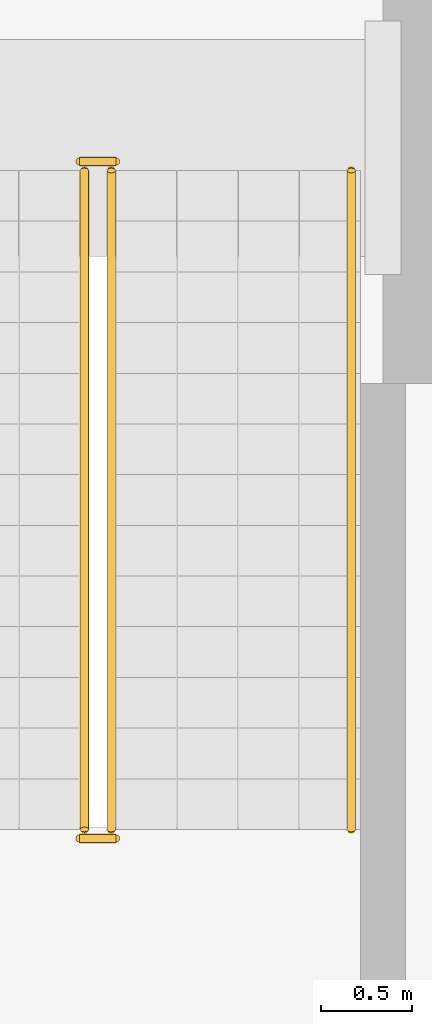
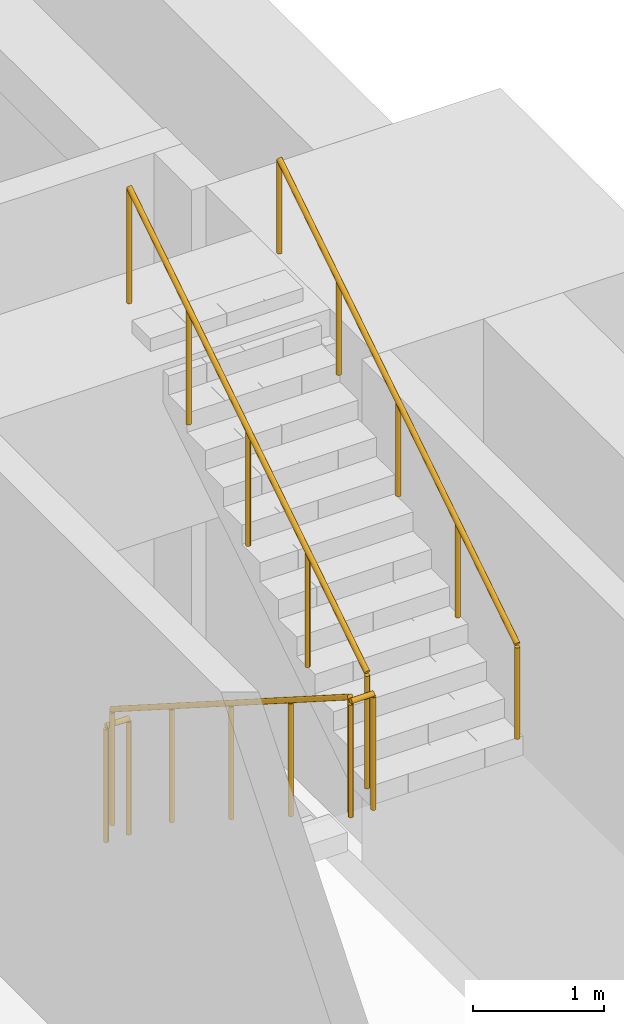
# One storey, part 16 of 17: 5 railings.
"""IFC4 building model written with IfcOpenShell, lengths in metres."""

from ifc_helpers import new_model, si_unit, direction, frame, origin, origin_2d, place, context, subcontext, project, spatial, circle, extrude, material, type_object, element, save


model = new_model("IFC4")

# Units and contexts
model_context = context("Model", 3, precision=1e-05, world=origin(), true_north=direction((0.0, 1.0)))
body_context = subcontext(model_context, "Body", "Model", "MODEL_VIEW")
ifc_project = project(units=[si_unit("LENGTHUNIT", "METRE"), si_unit("AREAUNIT", "SQUARE_METRE"), si_unit("VOLUMEUNIT", "CUBIC_METRE"), si_unit("PLANEANGLEUNIT", "RADIAN"), si_unit("MASSUNIT", "GRAM", prefix="KILO")], contexts=[model_context])

# Site, building, storey
site_placement = place(None, origin())
site = spatial("IfcSite", under=ifc_project, at=site_placement, CompositionType="ELEMENT")
building_placement = place(site_placement, origin())
building = spatial("IfcBuilding", under=site, at=building_placement, Name="Cantera Rosa Tower", CompositionType="ELEMENT")
storey_placement = place(building_placement, frame((0.0, 0.0, 22.0)))
storey = spatial("IfcBuildingStorey", under=building, at=storey_placement, Name="L03", CompositionType="ELEMENT", Elevation=22.0)

# Railings
ifc_material_1 = material(Name="Steel S355J2 (EN 10025-2)", Category="steel")
railing_type_1 = type_object("IfcRailingType", Name="STAIR GUARD 1100", PredefinedType="GUARDRAIL", material=ifc_material_1)
railing_1_placement = place(storey_placement, frame((30.65087890625, -21.125, 0.178466796875)))
element("IfcRailing", 1, at=railing_1_placement, inside=storey, type_object=railing_type_1, Name="L03 ST-SE stair guard 1", PredefinedType="GUARDRAIL", context=body_context, shape_type="SweptSolid", body=[
    extrude(circle(Radius=0.02392578125, at=origin_2d()), frame((0.0, 0.0, 1.076171875), z_axis=(0.0, -0.843111507901, 0.53773877045), x_axis=(1.0, 0.0, 0.0)), (0.0, 0.0, 1.0), 4.317138671875),
    extrude(circle(Radius=0.02099609375, at=origin_2d()), origin(), (0.0, 0.0, 1.0), 1.052001953125),
    extrude(circle(Radius=0.02099609375, at=origin_2d()), frame((0.0, -0.909912109375, 0.580322265625)), (0.0, 0.0, 1.0), 1.052001953125),
    extrude(circle(Radius=0.02099609375, at=origin_2d()), frame((0.0, -1.81982421875, 1.16064453125)), (0.0, 0.0, 1.0), 1.052001953125),
    extrude(circle(Radius=0.02099609375, at=origin_2d()), frame((0.0, -2.72998046875, 1.7412109375)), (0.0, 0.0, 1.0), 1.052001953125),
    extrude(circle(Radius=0.02099609375, at=origin_2d()), frame((0.0, -3.639892578125, 2.321533203125)), (0.0, 0.0, 1.0), 1.052001953125),
])
railing_2_placement = place(storey_placement, frame((30.625, -24.81494140625, 2.5)))
element("IfcRailing", 2, at=railing_2_placement, inside=storey, type_object=railing_type_1, Name="L03 ST-SE stair guard 2", PredefinedType="GUARDRAIL", context=body_context, shape_type="SweptSolid", body=[
    extrude(circle(Radius=0.02392578125, at=origin_2d()), frame((0.0, 0.0, 1.076171875), z_axis=(1.0, 0.0, 0.0), x_axis=(0.0, 1.0, 0.0)), (0.0, 0.0, 1.0), 0.199951171875),
    extrude(circle(Radius=0.02099609375, at=origin_2d()), origin(), (0.0, 0.0, 1.0), 1.052001953125),
    extrude(circle(Radius=0.02099609375, at=origin_2d()), frame((0.199951171875, 0.0, 0.0)), (0.0, 0.0, 1.0), 1.052001953125),
])
railing_3_placement = place(storey_placement, frame((30.799072265625, -24.764892578125, 2.678466796875)))
element("IfcRailing", 3, at=railing_3_placement, inside=storey, type_object=railing_type_1, Name="L03 ST-SE stair guard 3", PredefinedType="GUARDRAIL", context=body_context, shape_type="SweptSolid", body=[
    extrude(circle(Radius=0.02392578125, at=origin_2d()), frame((0.0, 0.0, 1.076171875), z_axis=(0.0, 0.843111507901, 0.53773877045), x_axis=(-1.0, 0.0, 0.0)), (0.0, 0.0, 1.0), 4.317138671875),
    extrude(circle(Radius=0.02099609375, at=origin_2d()), origin(), (0.0, 0.0, 1.0), 1.052001953125),
    extrude(circle(Radius=0.02099609375, at=origin_2d()), frame((0.0, 0.909912109375, 0.580322265625)), (0.0, 0.0, 1.0), 1.052001953125),
    extrude(circle(Radius=0.02099609375, at=origin_2d()), frame((0.0, 1.81982421875, 1.16064453125)), (0.0, 0.0, 1.0), 1.052001953125),
    extrude(circle(Radius=0.02099609375, at=origin_2d()), frame((0.0, 2.72998046875, 1.7412109375)), (0.0, 0.0, 1.0), 1.052001953125),
    extrude(circle(Radius=0.02099609375, at=origin_2d()), frame((0.0, 3.639892578125, 2.321533203125)), (0.0, 0.0, 1.0), 1.052001953125),
])
railing_4_placement = place(storey_placement, frame((30.625, -21.074951171875, 0.0)))
element("IfcRailing", 4, at=railing_4_placement, inside=storey, type_object=railing_type_1, Name="L03 ST-SE stair guard 4", PredefinedType="GUARDRAIL", context=body_context, shape_type="SweptSolid", body=[
    extrude(circle(Radius=0.02392578125, at=origin_2d()), frame((0.0, 0.0, 1.076171875), z_axis=(1.0, 0.0, 0.0), x_axis=(0.0, 1.0, 0.0)), (0.0, 0.0, 1.0), 0.199951171875),
    extrude(circle(Radius=0.02099609375, at=origin_2d()), origin(), (0.0, 0.0, 1.0), 1.052001953125),
    extrude(circle(Radius=0.02099609375, at=origin_2d()), frame((0.199951171875, 0.0, 0.0)), (0.0, 0.0, 1.0), 1.052001953125),
])
ifc_material_2 = material(Name="Steel S355J2 (EN 10025-2)", Category="steel")
railing_type_2 = type_object("IfcRailingType", Name="STAIR HANDRAIL 900", PredefinedType="HANDRAIL", material=ifc_material_2)
railing_5_placement = place(storey_placement, frame((32.125, -24.764892578125, 2.678466796875)))
element("IfcRailing", 5, at=railing_5_placement, inside=storey, type_object=railing_type_2, Name="L03 ST-SE stair handrail 2", PredefinedType="HANDRAIL", context=body_context, shape_type="SweptSolid", body=[
    extrude(circle(Radius=0.02392578125, at=origin_2d()), frame((0.0, 0.0, 0.8759765625), z_axis=(0.0, 0.843111507901, 0.53773877045), x_axis=(-1.0, 0.0, 0.0)), (0.0, 0.0, 1.0), 4.317138671875),
    extrude(circle(Radius=0.02099609375, at=origin_2d()), origin(), (0.0, 0.0, 1.0), 0.851806640625),
    extrude(circle(Radius=0.02099609375, at=origin_2d()), frame((0.0, 0.909912109375, 0.580322265625)), (0.0, 0.0, 1.0), 0.851806640625),
    extrude(circle(Radius=0.02099609375, at=origin_2d()), frame((0.0, 1.81982421875, 1.16064453125)), (0.0, 0.0, 1.0), 0.851806640625),
    extrude(circle(Radius=0.02099609375, at=origin_2d()), frame((0.0, 2.72998046875, 1.7412109375)), (0.0, 0.0, 1.0), 0.851806640625),
    extrude(circle(Radius=0.02099609375, at=origin_2d()), frame((0.0, 3.639892578125, 2.321533203125)), (0.0, 0.0, 1.0), 0.851806640625),
])

save(model, "model.ifc")
